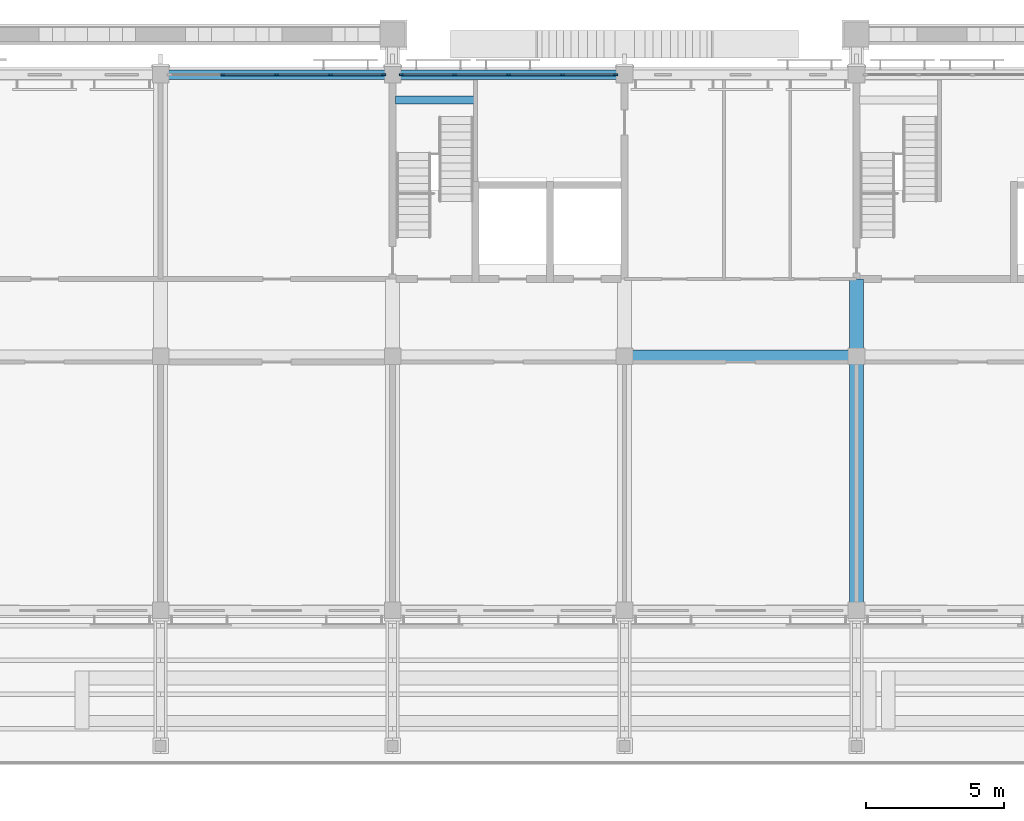
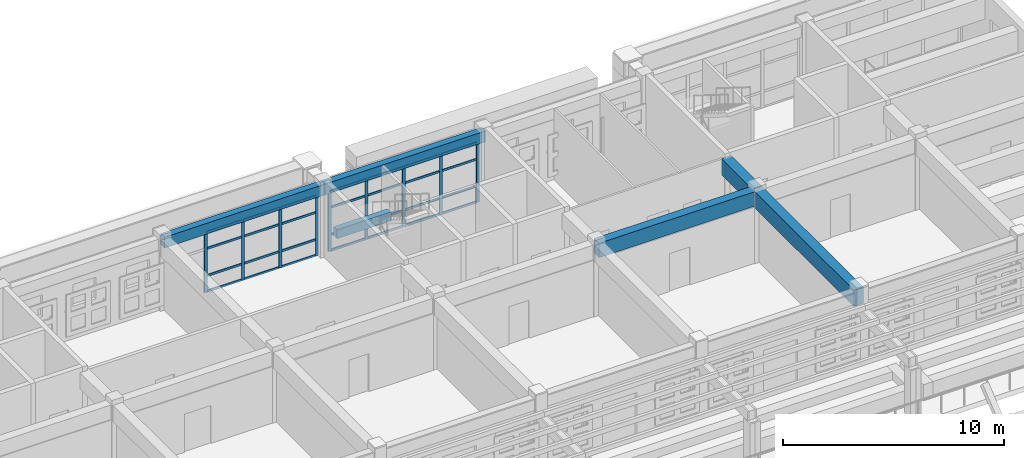
# One storey, part 12 of 68: 37 members, 6 beams, 2 elements without a shape of their own.
"""IFC4 building model written with IfcOpenShell, lengths in metres."""

from ifc_helpers import new_model, si_unit, direction, frame, origin, origin_2d, place, context, subcontext, project, spatial, rectangle, extrude, material, layer, layer_set, material_profile, profile_set, type_object, element, aggregate, save


model = new_model("IFC4")

# Units and contexts
model_context = context("Model", 3, precision=1e-05, world=origin(), true_north=direction((0.0, 1.0)))
body_context = subcontext(model_context, "Body", "Model", "MODEL_VIEW")
ifc_project = project(units=[si_unit("LENGTHUNIT", "METRE"), si_unit("AREAUNIT", "SQUARE_METRE"), si_unit("VOLUMEUNIT", "CUBIC_METRE"), si_unit("PLANEANGLEUNIT", "RADIAN"), si_unit("MASSUNIT", "GRAM", prefix="KILO")], contexts=[model_context])

# Site, building, storey
site_placement = place(None, origin())
site = spatial("IfcSite", under=ifc_project, at=site_placement, CompositionType="ELEMENT")
building_placement = place(site_placement, origin())
building = spatial("IfcBuilding", under=site, at=building_placement, Name="Wasatch Bagh Community Centre", CompositionType="ELEMENT")
storey_placement = place(building_placement, frame((0.0, 0.0, 8.39990234375)))
storey = spatial("IfcBuildingStorey", under=building, at=storey_placement, Name="L02", CompositionType="ELEMENT", Elevation=8.39990234375)

# Beams
ifc_material_1 = material(Name="Concrete C35", Category="concrete")
ifc_material_profile_1 = material_profile(ifc_material_1, rectangle(XDim=0.300048828125, YDim=0.5, at=origin_2d()), Name="RC 300x500")
ifc_profile_set_1 = profile_set([ifc_material_profile_1], Name="Concrete C35")
beam_type_1 = type_object("IfcBeamType", Name="LW RC 300x500", PredefinedType="BEAM", material=ifc_profile_set_1)
beam_1_placement = place(storey_placement, frame((106.10498046875, 96.8798828125, 1.650146484375), z_axis=(1.0, 0.0, 0.0), x_axis=(0.0, 1.0, 0.0)))
element("IfcBeam", 1, at=beam_1_placement, inside=storey, type_object=beam_type_1, Name="LW.lbeam.L02.C2", PredefinedType="BEAM", context=body_context, shape_type="SweptSolid", body=[
    extrude(rectangle(XDim=0.300048828125, YDim=0.5, at=origin_2d()), origin(), (0.0, 0.0, 1.0), 2.840087890625),
])
ifc_material_profile_2 = material_profile(ifc_material_1, rectangle(XDim=0.35009765625, YDim=0.60009765625, at=origin_2d()), Name="RC 350x600")
ifc_profile_set_2 = profile_set([ifc_material_profile_2], Name="Concrete C35")
beam_type_2 = type_object("IfcBeamType", Name="LW RC 350x600", PredefinedType="BEAM", material=ifc_profile_set_2)
for number, where, z_axis, x_axis, name in (
    (2, (97.60009765625, 97.800048828125, 3.6201171875), (1.0, 0.0, 0.0), (0.0, 1.0, 0.0), "W5-W6N"),
    (3, (106.0, 97.800048828125, 3.6201171875), (1.0, 0.0, 0.0), (0.0, 1.0, 0.0), "W6-W7N"),
):
    element("IfcBeam", number, at=place(storey_placement, frame(where, z_axis=z_axis, x_axis=x_axis)), inside=storey, type_object=beam_type_2, Name=name, PredefinedType="BEAM", context=body_context, shape_type="SweptSolid", body=[
        extrude(rectangle(XDim=0.35009765625, YDim=0.60009765625, at=origin_2d()), origin(), (0.0, 0.0, 1.0), 8.39990234375),
    ])
ifc_material_profile_3 = material_profile(ifc_material_1, rectangle(XDim=0.449951171875, YDim=0.800048828125, at=origin_2d()), Name="RC 450x800")
ifc_profile_set_3 = profile_set([ifc_material_profile_3], Name="Concrete C35")
beam_type_3 = type_object("IfcBeamType", Name="LW RC 450x800", PredefinedType="BEAM", material=ifc_profile_set_3)
beam_2_placement = place(storey_placement, frame((114.39990234375, 87.60009765625, 3.52001953125), z_axis=(1.0, 0.0, 0.0), x_axis=(0.0, 1.0, 0.0)))
element("IfcBeam", 4, at=beam_2_placement, inside=storey, type_object=beam_type_3, Name="W7-W8M", PredefinedType="BEAM", context=body_context, shape_type="SweptSolid", body=[
    extrude(rectangle(XDim=0.449951171875, YDim=0.800048828125, at=origin_2d()), origin(), (0.0, 0.0, 1.0), 8.400146484375),
])
ifc_material_profile_4 = material_profile(ifc_material_1, rectangle(XDim=0.5, YDim=0.89990234375, at=origin_2d()), Name="RC 500x900")
ifc_profile_set_4 = profile_set([ifc_material_profile_4], Name="Concrete C35")
beam_type_4 = type_object("IfcBeamType", Name="LW RC 500x900", PredefinedType="BEAM", material=ifc_profile_set_4)
beam_3_placement = place(storey_placement, frame((122.800048828125, 78.39990234375, 3.47021484375), z_axis=(0.0, 1.0, 0.0), x_axis=(-1.0, 0.0, 0.0)))
element("IfcBeam", 5, at=beam_3_placement, inside=storey, type_object=beam_type_4, Name="W8S-M", PredefinedType="BEAM", context=body_context, shape_type="SweptSolid", body=[
    extrude(rectangle(XDim=0.5, YDim=0.89990234375, at=origin_2d()), origin(), (0.0, 0.0, 1.0), 9.2001953125),
])
beam_4_placement = place(storey_placement, frame((122.800048828125, 87.60009765625, 3.47021484375), z_axis=(0.0, 1.0, 0.0), x_axis=(-1.0, 0.0, 0.0)))
element("IfcBeam", 6, at=beam_4_placement, inside=storey, type_object=beam_type_4, Name="W8M-N", PredefinedType="BEAM", context=body_context, shape_type="SweptSolid", body=[
    extrude(rectangle(XDim=0.5, YDim=0.89990234375, at=origin_2d()), origin(), (0.0, 0.0, 1.0), 2.7998046875),
])

# Curtain wall, members
ifc_material_2 = material(Name="Aluminium curtain wall frame with low-iron glass", Category="aluminium")
ifc_layer_1 = layer(ifc_material_2, 0.10009765625)
ifc_layer_set_1 = layer_set([ifc_layer_1], Name="Aluminium curtain wall frame with low-iron glass")
curtain_wall_type_1 = type_object("IfcCurtainWallType", Name="LW curtain wall 100", PredefinedType="NOTDEFINED", material=ifc_layer_set_1)
curtain_wall_1_placement = place(storey_placement, origin())
curtain_wall_1 = element("IfcCurtainWall", 7, at=curtain_wall_1_placement, inside=storey, type_object=curtain_wall_type_1, Name="Curtain wall 02.03", PredefinedType="NOTDEFINED")
ifc_material_3 = material(Name="Aluminium extrusion", Category="aluminium")
ifc_material_profile_5 = material_profile(ifc_material_3, rectangle(XDim=0.06005859375, YDim=0.159912109375, at=origin_2d()), Name="AL 60x160")
ifc_profile_set_5 = profile_set([ifc_material_profile_5], Name="Aluminium extrusion")
member_type_1 = type_object("IfcMemberType", Name="LW curtain wall mullion 60x160", PredefinedType="MULLION", material=ifc_profile_set_5)
member_1_placement = place(storey_placement, frame((106.330078125, 97.800048828125, 0.0), z_axis=(0.0, 0.0, 1.0), x_axis=(0.0, 1.0, 0.0)))
member_1 = element("IfcMember", 8, at=member_1_placement, type_object=member_type_1, Name="LW-CW1 mullion 1", PredefinedType="MULLION", context=body_context, shape_type="SweptSolid", body=[
    extrude(rectangle(XDim=0.06005859375, YDim=0.159912109375, at=origin_2d()), origin(), (0.0, 0.0, 1.0), 3.320068359375),
])
member_2_placement = place(storey_placement, frame((108.25, 97.800048828125, 0.0), z_axis=(0.0, 0.0, 1.0), x_axis=(0.0, 1.0, 0.0)))
member_2 = element("IfcMember", 9, at=member_2_placement, type_object=member_type_1, Name="LW-CW1 mullion 2", PredefinedType="MULLION", context=body_context, shape_type="SweptSolid", body=[
    extrude(rectangle(XDim=0.06005859375, YDim=0.159912109375, at=origin_2d()), origin(), (0.0, 0.0, 1.0), 3.320068359375),
])
member_3_placement = place(storey_placement, frame((110.199951171875, 97.800048828125, 0.0), z_axis=(0.0, 0.0, 1.0), x_axis=(0.0, 1.0, 0.0)))
member_3 = element("IfcMember", 10, at=member_3_placement, type_object=member_type_1, Name="LW-CW1 mullion 3", PredefinedType="MULLION", context=body_context, shape_type="SweptSolid", body=[
    extrude(rectangle(XDim=0.06005859375, YDim=0.159912109375, at=origin_2d()), origin(), (0.0, 0.0, 1.0), 3.320068359375),
])
member_4_placement = place(storey_placement, frame((112.14990234375, 97.800048828125, 0.0), z_axis=(0.0, 0.0, 1.0), x_axis=(0.0, 1.0, 0.0)))
member_4 = element("IfcMember", 11, at=member_4_placement, type_object=member_type_1, Name="LW-CW1 mullion 4", PredefinedType="MULLION", context=body_context, shape_type="SweptSolid", body=[
    extrude(rectangle(XDim=0.06005859375, YDim=0.159912109375, at=origin_2d()), origin(), (0.0, 0.0, 1.0), 3.320068359375),
])
member_5_placement = place(storey_placement, frame((114.070068359375, 97.800048828125, 0.0), z_axis=(0.0, 0.0, 1.0), x_axis=(0.0, 1.0, 0.0)))
member_5 = element("IfcMember", 12, at=member_5_placement, type_object=member_type_1, Name="LW-CW1 mullion 5", PredefinedType="MULLION", context=body_context, shape_type="SweptSolid", body=[
    extrude(rectangle(XDim=0.06005859375, YDim=0.159912109375, at=origin_2d()), origin(), (0.0, 0.0, 1.0), 3.320068359375),
])

ifc_layer_2 = layer(ifc_material_2, 0.1201171875)
ifc_layer_set_2 = layer_set([ifc_layer_2], Name="Aluminium curtain wall frame with low-iron glass")
curtain_wall_type_2 = type_object("IfcCurtainWallType", Name="LW study front curtain wall 120", PredefinedType="NOTDEFINED", material=ifc_layer_set_2)
curtain_wall_2_placement = place(storey_placement, origin())
curtain_wall_2 = element("IfcCurtainWall", 13, at=curtain_wall_2_placement, inside=storey, type_object=curtain_wall_type_2, Name="Curtain wall 02.02", PredefinedType="NOTDEFINED")
ifc_material_profile_6 = material_profile(ifc_material_3, rectangle(XDim=0.06005859375, YDim=0.159912109375, at=origin_2d()), Name="AL 60x160")
ifc_profile_set_6 = profile_set([ifc_material_profile_6], Name="Aluminium extrusion")
member_type_2 = type_object("IfcMemberType", Name="LW curtain wall mullion 60x160 LW-CW2", PredefinedType="MULLION", material=ifc_profile_set_6)
member_6_placement = place(storey_placement, frame((99.85009765625, 97.800048828125, 0.0), z_axis=(0.0, 0.0, 1.0), x_axis=(0.0, 1.0, 0.0)))
member_6 = element("IfcMember", 14, at=member_6_placement, type_object=member_type_2, Name="LW-CW2 mullion 2", PredefinedType="MULLION", context=body_context, shape_type="SweptSolid", body=[
    extrude(rectangle(XDim=0.06005859375, YDim=0.159912109375, at=origin_2d()), origin(), (0.0, 0.0, 1.0), 3.320068359375),
])
member_7_placement = place(storey_placement, frame((101.800048828125, 97.800048828125, 0.0), z_axis=(0.0, 0.0, 1.0), x_axis=(0.0, 1.0, 0.0)))
member_7 = element("IfcMember", 15, at=member_7_placement, type_object=member_type_2, Name="LW-CW2 mullion 3", PredefinedType="MULLION", context=body_context, shape_type="SweptSolid", body=[
    extrude(rectangle(XDim=0.06005859375, YDim=0.159912109375, at=origin_2d()), origin(), (0.0, 0.0, 1.0), 3.320068359375),
])
member_8_placement = place(storey_placement, frame((103.75, 97.800048828125, 0.0), z_axis=(0.0, 0.0, 1.0), x_axis=(0.0, 1.0, 0.0)))
member_8 = element("IfcMember", 16, at=member_8_placement, type_object=member_type_2, Name="LW-CW2 mullion 4", PredefinedType="MULLION", context=body_context, shape_type="SweptSolid", body=[
    extrude(rectangle(XDim=0.06005859375, YDim=0.159912109375, at=origin_2d()), origin(), (0.0, 0.0, 1.0), 3.320068359375),
])
member_9_placement = place(storey_placement, frame((105.669921875, 97.800048828125, 0.0), z_axis=(0.0, 0.0, 1.0), x_axis=(0.0, 1.0, 0.0)))
member_9 = element("IfcMember", 17, at=member_9_placement, type_object=member_type_2, Name="LW-CW2 mullion 5", PredefinedType="MULLION", context=body_context, shape_type="SweptSolid", body=[
    extrude(rectangle(XDim=0.06005859375, YDim=0.159912109375, at=origin_2d()), origin(), (0.0, 0.0, 1.0), 3.320068359375),
])

# Member
ifc_material_profile_7 = material_profile(ifc_material_3, rectangle(XDim=0.06005859375, YDim=0.1201171875, at=origin_2d()), Name="AL 60x120")
ifc_profile_set_7 = profile_set([ifc_material_profile_7], Name="Aluminium extrusion")
member_type_3 = type_object("IfcMemberType", Name="LW curtain wall transom 60x120", PredefinedType="USERDEFINED", material=ifc_profile_set_7)
member_10_placement = place(storey_placement, frame((106.360107421875, 97.800048828125, 0.030029296875), z_axis=(1.0, 0.0, 0.0), x_axis=(0.0, 1.0, 0.0)))
member_10 = element("IfcMember", 18, at=member_10_placement, type_object=member_type_3, Name="LW-CW1 transom 1.1", ObjectType="TRANSOM", PredefinedType="USERDEFINED", context=body_context, shape_type="SweptSolid", body=[
    extrude(rectangle(XDim=0.06005859375, YDim=0.1201171875, at=origin_2d()), origin(), (0.0, 0.0, 1.0), 1.85986328125),
])

member_11_placement = place(storey_placement, frame((106.360107421875, 97.800048828125, 0.900146484375), z_axis=(1.0, 0.0, 0.0), x_axis=(0.0, 1.0, 0.0)))
member_11 = element("IfcMember", 19, at=member_11_placement, type_object=member_type_3, Name="LW-CW1 transom 1.2", ObjectType="TRANSOM", PredefinedType="USERDEFINED", context=body_context, shape_type="SweptSolid", body=[
    extrude(rectangle(XDim=0.06005859375, YDim=0.1201171875, at=origin_2d()), origin(), (0.0, 0.0, 1.0), 1.85986328125),
])

member_12_placement = place(storey_placement, frame((106.360107421875, 97.800048828125, 2.400146484375), z_axis=(1.0, 0.0, 0.0), x_axis=(0.0, 1.0, 0.0)))
member_12 = element("IfcMember", 20, at=member_12_placement, type_object=member_type_3, Name="LW-CW1 transom 1.3", ObjectType="TRANSOM", PredefinedType="USERDEFINED", context=body_context, shape_type="SweptSolid", body=[
    extrude(rectangle(XDim=0.06005859375, YDim=0.1201171875, at=origin_2d()), origin(), (0.0, 0.0, 1.0), 1.85986328125),
])

member_13_placement = place(storey_placement, frame((106.360107421875, 97.800048828125, 3.2900390625), z_axis=(1.0, 0.0, 0.0), x_axis=(0.0, 1.0, 0.0)))
member_13 = element("IfcMember", 21, at=member_13_placement, type_object=member_type_3, Name="LW-CW1 transom 1.4", ObjectType="TRANSOM", PredefinedType="USERDEFINED", context=body_context, shape_type="SweptSolid", body=[
    extrude(rectangle(XDim=0.06005859375, YDim=0.1201171875, at=origin_2d()), origin(), (0.0, 0.0, 1.0), 1.85986328125),
])

member_14_placement = place(storey_placement, frame((108.280029296875, 97.800048828125, 0.030029296875), z_axis=(1.0, 0.0, 0.0), x_axis=(0.0, 1.0, 0.0)))
member_14 = element("IfcMember", 22, at=member_14_placement, type_object=member_type_3, Name="LW-CW1 transom 2.1", ObjectType="TRANSOM", PredefinedType="USERDEFINED", context=body_context, shape_type="SweptSolid", body=[
    extrude(rectangle(XDim=0.06005859375, YDim=0.1201171875, at=origin_2d()), origin(), (0.0, 0.0, 1.0), 1.889892578125),
])

member_15_placement = place(storey_placement, frame((108.280029296875, 97.800048828125, 0.900146484375), z_axis=(1.0, 0.0, 0.0), x_axis=(0.0, 1.0, 0.0)))
member_15 = element("IfcMember", 23, at=member_15_placement, type_object=member_type_3, Name="LW-CW1 transom 2.2", ObjectType="TRANSOM", PredefinedType="USERDEFINED", context=body_context, shape_type="SweptSolid", body=[
    extrude(rectangle(XDim=0.06005859375, YDim=0.1201171875, at=origin_2d()), origin(), (0.0, 0.0, 1.0), 1.889892578125),
])

member_16_placement = place(storey_placement, frame((108.280029296875, 97.800048828125, 2.400146484375), z_axis=(1.0, 0.0, 0.0), x_axis=(0.0, 1.0, 0.0)))
member_16 = element("IfcMember", 24, at=member_16_placement, type_object=member_type_3, Name="LW-CW1 transom 2.3", ObjectType="TRANSOM", PredefinedType="USERDEFINED", context=body_context, shape_type="SweptSolid", body=[
    extrude(rectangle(XDim=0.06005859375, YDim=0.1201171875, at=origin_2d()), origin(), (0.0, 0.0, 1.0), 1.889892578125),
])

member_17_placement = place(storey_placement, frame((108.280029296875, 97.800048828125, 3.2900390625), z_axis=(1.0, 0.0, 0.0), x_axis=(0.0, 1.0, 0.0)))
member_17 = element("IfcMember", 25, at=member_17_placement, type_object=member_type_3, Name="LW-CW1 transom 2.4", ObjectType="TRANSOM", PredefinedType="USERDEFINED", context=body_context, shape_type="SweptSolid", body=[
    extrude(rectangle(XDim=0.06005859375, YDim=0.1201171875, at=origin_2d()), origin(), (0.0, 0.0, 1.0), 1.889892578125),
])

member_18_placement = place(storey_placement, frame((110.22998046875, 97.800048828125, 0.030029296875), z_axis=(1.0, 0.0, 0.0), x_axis=(0.0, 1.0, 0.0)))
member_18 = element("IfcMember", 26, at=member_18_placement, type_object=member_type_3, Name="LW-CW1 transom 3.1", ObjectType="TRANSOM", PredefinedType="USERDEFINED", context=body_context, shape_type="SweptSolid", body=[
    extrude(rectangle(XDim=0.06005859375, YDim=0.1201171875, at=origin_2d()), origin(), (0.0, 0.0, 1.0), 1.89013671875),
])

member_19_placement = place(storey_placement, frame((110.22998046875, 97.800048828125, 0.900146484375), z_axis=(1.0, 0.0, 0.0), x_axis=(0.0, 1.0, 0.0)))
member_19 = element("IfcMember", 27, at=member_19_placement, type_object=member_type_3, Name="LW-CW1 transom 3.2", ObjectType="TRANSOM", PredefinedType="USERDEFINED", context=body_context, shape_type="SweptSolid", body=[
    extrude(rectangle(XDim=0.06005859375, YDim=0.1201171875, at=origin_2d()), origin(), (0.0, 0.0, 1.0), 1.89013671875),
])

member_20_placement = place(storey_placement, frame((110.22998046875, 97.800048828125, 2.400146484375), z_axis=(1.0, 0.0, 0.0), x_axis=(0.0, 1.0, 0.0)))
member_20 = element("IfcMember", 28, at=member_20_placement, type_object=member_type_3, Name="LW-CW1 transom 3.3", ObjectType="TRANSOM", PredefinedType="USERDEFINED", context=body_context, shape_type="SweptSolid", body=[
    extrude(rectangle(XDim=0.06005859375, YDim=0.1201171875, at=origin_2d()), origin(), (0.0, 0.0, 1.0), 1.89013671875),
])

member_21_placement = place(storey_placement, frame((110.22998046875, 97.800048828125, 3.2900390625), z_axis=(1.0, 0.0, 0.0), x_axis=(0.0, 1.0, 0.0)))
member_21 = element("IfcMember", 29, at=member_21_placement, type_object=member_type_3, Name="LW-CW1 transom 3.4", ObjectType="TRANSOM", PredefinedType="USERDEFINED", context=body_context, shape_type="SweptSolid", body=[
    extrude(rectangle(XDim=0.06005859375, YDim=0.1201171875, at=origin_2d()), origin(), (0.0, 0.0, 1.0), 1.89013671875),
])

member_22_placement = place(storey_placement, frame((112.179931640625, 97.800048828125, 0.030029296875), z_axis=(1.0, 0.0, 0.0), x_axis=(0.0, 1.0, 0.0)))
member_22 = element("IfcMember", 30, at=member_22_placement, type_object=member_type_3, Name="LW-CW1 transom 4.1", ObjectType="TRANSOM", PredefinedType="USERDEFINED", context=body_context, shape_type="SweptSolid", body=[
    extrude(rectangle(XDim=0.06005859375, YDim=0.1201171875, at=origin_2d()), origin(), (0.0, 0.0, 1.0), 1.860107421875),
])

member_23_placement = place(storey_placement, frame((112.179931640625, 97.800048828125, 0.900146484375), z_axis=(1.0, 0.0, 0.0), x_axis=(0.0, 1.0, 0.0)))
member_23 = element("IfcMember", 31, at=member_23_placement, type_object=member_type_3, Name="LW-CW1 transom 4.2", ObjectType="TRANSOM", PredefinedType="USERDEFINED", context=body_context, shape_type="SweptSolid", body=[
    extrude(rectangle(XDim=0.06005859375, YDim=0.1201171875, at=origin_2d()), origin(), (0.0, 0.0, 1.0), 1.860107421875),
])

member_24_placement = place(storey_placement, frame((112.179931640625, 97.800048828125, 2.400146484375), z_axis=(1.0, 0.0, 0.0), x_axis=(0.0, 1.0, 0.0)))
member_24 = element("IfcMember", 32, at=member_24_placement, type_object=member_type_3, Name="LW-CW1 transom 4.3", ObjectType="TRANSOM", PredefinedType="USERDEFINED", context=body_context, shape_type="SweptSolid", body=[
    extrude(rectangle(XDim=0.06005859375, YDim=0.1201171875, at=origin_2d()), origin(), (0.0, 0.0, 1.0), 1.860107421875),
])

member_25_placement = place(storey_placement, frame((112.179931640625, 97.800048828125, 3.2900390625), z_axis=(1.0, 0.0, 0.0), x_axis=(0.0, 1.0, 0.0)))
member_25 = element("IfcMember", 33, at=member_25_placement, type_object=member_type_3, Name="LW-CW1 transom 4.4", ObjectType="TRANSOM", PredefinedType="USERDEFINED", context=body_context, shape_type="SweptSolid", body=[
    extrude(rectangle(XDim=0.06005859375, YDim=0.1201171875, at=origin_2d()), origin(), (0.0, 0.0, 1.0), 1.860107421875),
])

aggregate(curtain_wall_1, [member_1, member_2, member_3, member_4, member_5, member_10, member_11, member_12, member_13, member_14, member_15, member_16, member_17, member_18, member_19, member_20, member_21, member_22, member_23, member_24, member_25])

ifc_material_profile_8 = material_profile(ifc_material_3, rectangle(XDim=0.06005859375, YDim=0.1201171875, at=origin_2d()), Name="AL 60x120")
ifc_profile_set_8 = profile_set([ifc_material_profile_8], Name="Aluminium extrusion")
member_type_4 = type_object("IfcMemberType", Name="LW curtain wall transom 60x120 LW-CW2", PredefinedType="USERDEFINED", material=ifc_profile_set_8)
member_26_placement = place(storey_placement, frame((99.8798828125, 97.800048828125, 0.030029296875), z_axis=(1.0, 0.0, 0.0), x_axis=(0.0, 1.0, 0.0)))
member_26 = element("IfcMember", 34, at=member_26_placement, type_object=member_type_4, Name="LW-CW2 transom 2.1", ObjectType="TRANSOM", PredefinedType="USERDEFINED", context=body_context, shape_type="SweptSolid", body=[
    extrude(rectangle(XDim=0.06005859375, YDim=0.1201171875, at=origin_2d()), origin(), (0.0, 0.0, 1.0), 1.89013671875),
])

member_27_placement = place(storey_placement, frame((99.8798828125, 97.800048828125, 0.900146484375), z_axis=(1.0, 0.0, 0.0), x_axis=(0.0, 1.0, 0.0)))
member_27 = element("IfcMember", 35, at=member_27_placement, type_object=member_type_4, Name="LW-CW2 transom 2.2", ObjectType="TRANSOM", PredefinedType="USERDEFINED", context=body_context, shape_type="SweptSolid", body=[
    extrude(rectangle(XDim=0.06005859375, YDim=0.1201171875, at=origin_2d()), origin(), (0.0, 0.0, 1.0), 1.89013671875),
])

member_28_placement = place(storey_placement, frame((99.8798828125, 97.800048828125, 2.400146484375), z_axis=(1.0, 0.0, 0.0), x_axis=(0.0, 1.0, 0.0)))
member_28 = element("IfcMember", 36, at=member_28_placement, type_object=member_type_4, Name="LW-CW2 transom 2.3", ObjectType="TRANSOM", PredefinedType="USERDEFINED", context=body_context, shape_type="SweptSolid", body=[
    extrude(rectangle(XDim=0.06005859375, YDim=0.1201171875, at=origin_2d()), origin(), (0.0, 0.0, 1.0), 1.89013671875),
])

member_29_placement = place(storey_placement, frame((99.8798828125, 97.800048828125, 3.2900390625), z_axis=(1.0, 0.0, 0.0), x_axis=(0.0, 1.0, 0.0)))
member_29 = element("IfcMember", 37, at=member_29_placement, type_object=member_type_4, Name="LW-CW2 transom 2.4", ObjectType="TRANSOM", PredefinedType="USERDEFINED", context=body_context, shape_type="SweptSolid", body=[
    extrude(rectangle(XDim=0.06005859375, YDim=0.1201171875, at=origin_2d()), origin(), (0.0, 0.0, 1.0), 1.89013671875),
])

member_30_placement = place(storey_placement, frame((101.830078125, 97.800048828125, 0.030029296875), z_axis=(1.0, 0.0, 0.0), x_axis=(0.0, 1.0, 0.0)))
member_30 = element("IfcMember", 38, at=member_30_placement, type_object=member_type_4, Name="LW-CW2 transom 3.1", ObjectType="TRANSOM", PredefinedType="USERDEFINED", context=body_context, shape_type="SweptSolid", body=[
    extrude(rectangle(XDim=0.06005859375, YDim=0.1201171875, at=origin_2d()), origin(), (0.0, 0.0, 1.0), 1.889892578125),
])

member_31_placement = place(storey_placement, frame((101.830078125, 97.800048828125, 0.900146484375), z_axis=(1.0, 0.0, 0.0), x_axis=(0.0, 1.0, 0.0)))
member_31 = element("IfcMember", 39, at=member_31_placement, type_object=member_type_4, Name="LW-CW2 transom 3.2", ObjectType="TRANSOM", PredefinedType="USERDEFINED", context=body_context, shape_type="SweptSolid", body=[
    extrude(rectangle(XDim=0.06005859375, YDim=0.1201171875, at=origin_2d()), origin(), (0.0, 0.0, 1.0), 1.889892578125),
])

member_32_placement = place(storey_placement, frame((101.830078125, 97.800048828125, 2.400146484375), z_axis=(1.0, 0.0, 0.0), x_axis=(0.0, 1.0, 0.0)))
member_32 = element("IfcMember", 40, at=member_32_placement, type_object=member_type_4, Name="LW-CW2 transom 3.3", ObjectType="TRANSOM", PredefinedType="USERDEFINED", context=body_context, shape_type="SweptSolid", body=[
    extrude(rectangle(XDim=0.06005859375, YDim=0.1201171875, at=origin_2d()), origin(), (0.0, 0.0, 1.0), 1.889892578125),
])

member_33_placement = place(storey_placement, frame((101.830078125, 97.800048828125, 3.2900390625), z_axis=(1.0, 0.0, 0.0), x_axis=(0.0, 1.0, 0.0)))
member_33 = element("IfcMember", 41, at=member_33_placement, type_object=member_type_4, Name="LW-CW2 transom 3.4", ObjectType="TRANSOM", PredefinedType="USERDEFINED", context=body_context, shape_type="SweptSolid", body=[
    extrude(rectangle(XDim=0.06005859375, YDim=0.1201171875, at=origin_2d()), origin(), (0.0, 0.0, 1.0), 1.889892578125),
])

member_34_placement = place(storey_placement, frame((103.780029296875, 97.800048828125, 0.030029296875), z_axis=(1.0, 0.0, 0.0), x_axis=(0.0, 1.0, 0.0)))
member_34 = element("IfcMember", 42, at=member_34_placement, type_object=member_type_4, Name="LW-CW2 transom 4.1", ObjectType="TRANSOM", PredefinedType="USERDEFINED", context=body_context, shape_type="SweptSolid", body=[
    extrude(rectangle(XDim=0.06005859375, YDim=0.1201171875, at=origin_2d()), origin(), (0.0, 0.0, 1.0), 1.85986328125),
])

member_35_placement = place(storey_placement, frame((103.780029296875, 97.800048828125, 0.900146484375), z_axis=(1.0, 0.0, 0.0), x_axis=(0.0, 1.0, 0.0)))
member_35 = element("IfcMember", 43, at=member_35_placement, type_object=member_type_4, Name="LW-CW2 transom 4.2", ObjectType="TRANSOM", PredefinedType="USERDEFINED", context=body_context, shape_type="SweptSolid", body=[
    extrude(rectangle(XDim=0.06005859375, YDim=0.1201171875, at=origin_2d()), origin(), (0.0, 0.0, 1.0), 1.85986328125),
])

member_36_placement = place(storey_placement, frame((103.780029296875, 97.800048828125, 2.400146484375), z_axis=(1.0, 0.0, 0.0), x_axis=(0.0, 1.0, 0.0)))
member_36 = element("IfcMember", 44, at=member_36_placement, type_object=member_type_4, Name="LW-CW2 transom 4.3", ObjectType="TRANSOM", PredefinedType="USERDEFINED", context=body_context, shape_type="SweptSolid", body=[
    extrude(rectangle(XDim=0.06005859375, YDim=0.1201171875, at=origin_2d()), origin(), (0.0, 0.0, 1.0), 1.85986328125),
])

member_37_placement = place(storey_placement, frame((103.780029296875, 97.800048828125, 3.2900390625), z_axis=(1.0, 0.0, 0.0), x_axis=(0.0, 1.0, 0.0)))
member_37 = element("IfcMember", 45, at=member_37_placement, type_object=member_type_4, Name="LW-CW2 transom 4.4", ObjectType="TRANSOM", PredefinedType="USERDEFINED", context=body_context, shape_type="SweptSolid", body=[
    extrude(rectangle(XDim=0.06005859375, YDim=0.1201171875, at=origin_2d()), origin(), (0.0, 0.0, 1.0), 1.85986328125),
])

aggregate(curtain_wall_2, [member_6, member_7, member_8, member_9, member_26, member_27, member_28, member_29, member_30, member_31, member_32, member_33, member_34, member_35, member_36, member_37])

save(model, "model.ifc")
